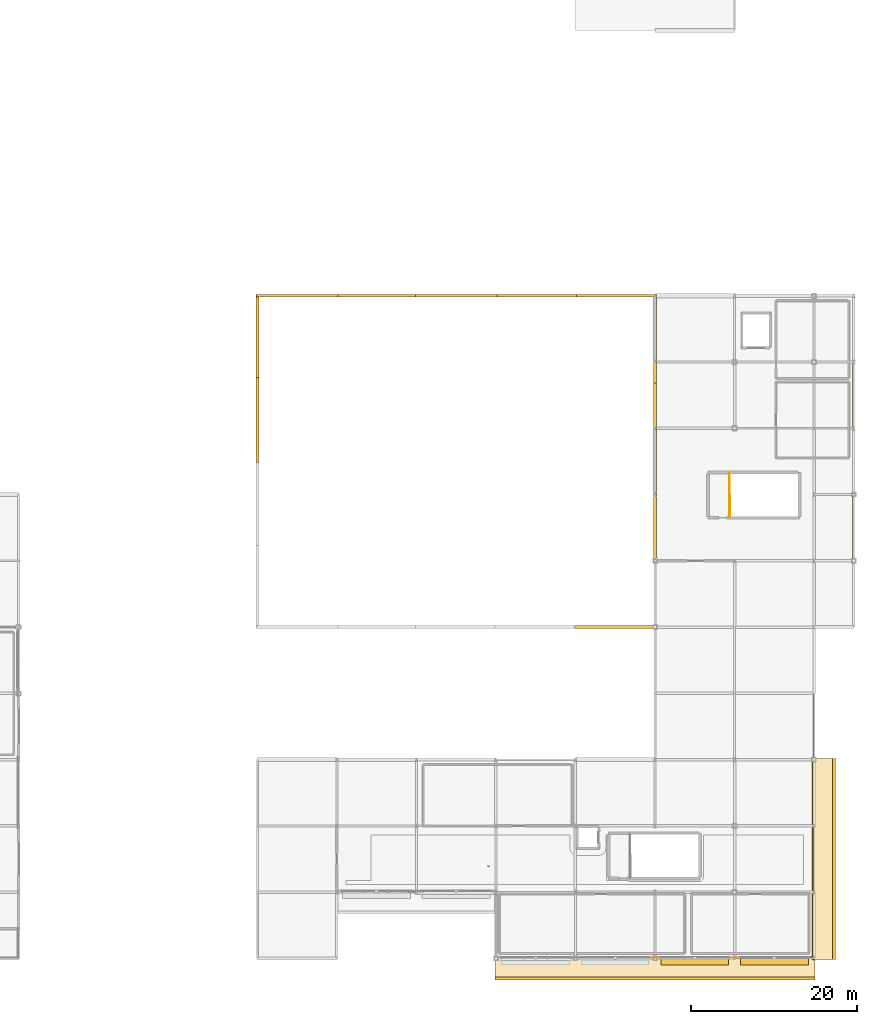
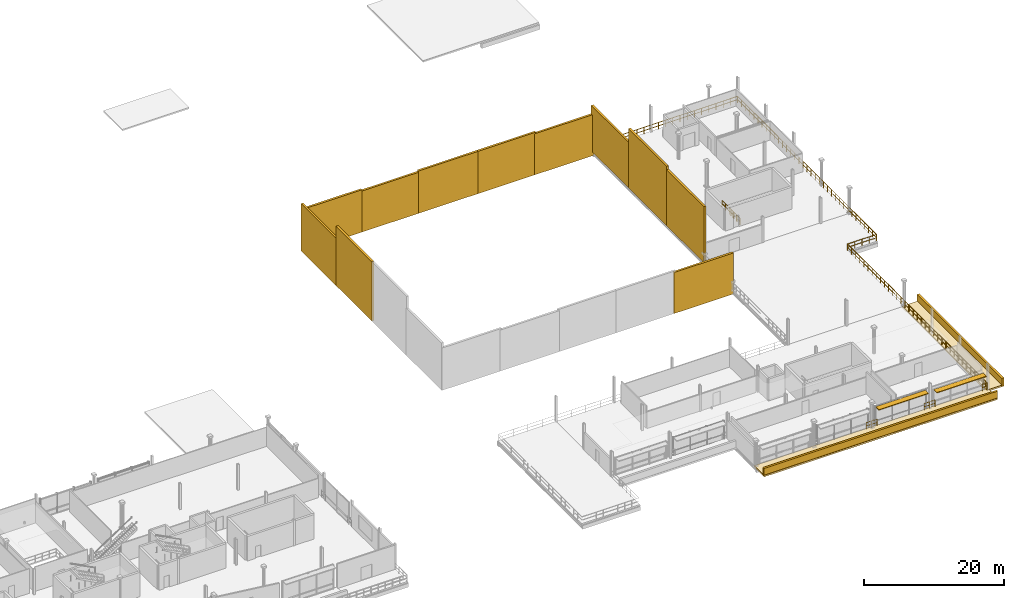
# One storey, part 58 of 59: 15 coverings, 5 railings, 2 shading devices.
"""IFC4 building model written with IfcOpenShell, lengths in metres."""

from ifc_helpers import new_model, si_unit, direction, frame, origin, origin_2d, place, context, subcontext, project, spatial, rectangle, circle, extrude, material, layer, layer_set, type_object, element, save


model = new_model("IFC4")

# Units and contexts
model_context = context("Model", 3, precision=1e-05, world=origin(), true_north=direction((0.0, 1.0)))
body_context = subcontext(model_context, "Body", "Model", "MODEL_VIEW")
ifc_project = project(units=[si_unit("LENGTHUNIT", "METRE"), si_unit("AREAUNIT", "SQUARE_METRE"), si_unit("VOLUMEUNIT", "CUBIC_METRE"), si_unit("PLANEANGLEUNIT", "RADIAN"), si_unit("MASSUNIT", "GRAM", prefix="KILO")], contexts=[model_context])

# Site, building, storey
site_placement = place(None, origin())
site = spatial("IfcSite", under=ifc_project, at=site_placement, CompositionType="ELEMENT")
building_placement = place(site_placement, origin())
building = spatial("IfcBuilding", under=site, at=building_placement, Name="Danafjord Basin Convention Centre", CompositionType="ELEMENT")
storey_placement = place(building_placement, frame((0.0, 0.0, 15.89990234375)))
storey = spatial("IfcBuildingStorey", under=building, at=storey_placement, Name="L03", CompositionType="ELEMENT", Elevation=15.89990234375)

# Coverings
ifc_material_1 = material(Name="Architectural white precast concrete C45/55", Category="concrete")
ifc_layer = layer(ifc_material_1, 0.320068359375)
ifc_layer_set = layer_set([ifc_layer], Name="Architectural white precast concrete C45/55")
covering_type = type_object("IfcCoveringType", Name="COV-BAND-HORIZ", PredefinedType="CLADDING", material=ifc_layer_set)
covering_1_placement = place(storey_placement, frame((187.199951171875, 40.0, -0.7998046875), z_axis=(0.0, 0.0, 1.0), x_axis=(1.0, 0.0, 0.0)))
element("IfcCovering", 1, at=covering_1_placement, inside=storey, type_object=covering_type, Name="Ballroom upper wave-eave acoustic enclosure panel 1-5", PredefinedType="CLADDING", context=body_context, shape_type="SweptSolid", body=[
    extrude(rectangle(XDim=9.85009765625, YDim=0.340087890625, at=origin_2d()), origin(), (0.0, 0.0, 1.0), 7.179931640625),
])
covering_2_placement = place(storey_placement, frame((144.0, 65.0, -0.800048828125), z_axis=(0.0, 0.0, 1.0), x_axis=(0.0, 1.0, 0.0)))
element("IfcCovering", 2, at=covering_2_placement, inside=storey, type_object=covering_type, Name="Ballroom upper wave-eave acoustic enclosure panel 2-3", PredefinedType="CLADDING", context=body_context, shape_type="SweptSolid", body=[
    extrude(rectangle(XDim=10.25, YDim=0.340087890625, at=origin_2d()), origin(), (0.0, 0.0, 1.0), 10.3720703125),
])
covering_3_placement = place(storey_placement, frame((144.0, 75.0, -0.7998046875), z_axis=(0.0, 0.0, 1.0), x_axis=(0.0, 1.0, 0.0)))
element("IfcCovering", 3, at=covering_3_placement, inside=storey, type_object=covering_type, Name="Ballroom upper wave-eave acoustic enclosure panel 2-4", PredefinedType="CLADDING", context=body_context, shape_type="SweptSolid", body=[
    extrude(rectangle(XDim=10.25, YDim=0.340087890625, at=origin_2d()), origin(), (0.0, 0.0, 1.0), 8.27197265625),
])
covering_4_placement = place(storey_placement, frame((148.800048828125, 80.0, -0.7998046875), z_axis=(0.0, 0.0, 1.0), x_axis=(1.0, 0.0, 0.0)))
element("IfcCovering", 4, at=covering_4_placement, inside=storey, type_object=covering_type, Name="Ballroom upper wave-eave acoustic enclosure panel 3-1", PredefinedType="CLADDING", context=body_context, shape_type="SweptSolid", body=[
    extrude(rectangle(XDim=9.85009765625, YDim=0.340087890625, at=origin_2d()), origin(), (0.0, 0.0, 1.0), 7.405029296875),
])
covering_5_placement = place(storey_placement, frame((158.39990234375, 80.0, -0.7998046875), z_axis=(0.0, 0.0, 1.0), x_axis=(1.0, 0.0, 0.0)))
element("IfcCovering", 5, at=covering_5_placement, inside=storey, type_object=covering_type, Name="Ballroom upper wave-eave acoustic enclosure panel 3-2", PredefinedType="CLADDING", context=body_context, shape_type="SweptSolid", body=[
    extrude(rectangle(XDim=9.85009765625, YDim=0.340087890625, at=origin_2d()), origin(), (0.0, 0.0, 1.0), 7.179931640625),
])
for number, where, z_axis, x_axis, name in (
    (6, (168.0, 80.0, -0.7998046875), (0.0, 0.0, 1.0), (1.0, 0.0, 0.0), "Ballroom upper wave-eave acoustic enclosure panel 3-3"),
    (7, (177.60009765625, 80.0, -0.7998046875), (0.0, 0.0, 1.0), (1.0, 0.0, 0.0), "Ballroom upper wave-eave acoustic enclosure panel 3-4"),
):
    element("IfcCovering", number, at=place(storey_placement, frame(where, z_axis=z_axis, x_axis=x_axis)), inside=storey, type_object=covering_type, Name=name, PredefinedType="CLADDING", context=body_context, shape_type="SweptSolid", body=[
        extrude(rectangle(XDim=9.85009765625, YDim=0.340087890625, at=origin_2d()), origin(), (0.0, 0.0, 1.0), 7.405029296875),
    ])
covering_6_placement = place(storey_placement, frame((187.199951171875, 80.0, -0.7998046875), z_axis=(0.0, 0.0, 1.0), x_axis=(1.0, 0.0, 0.0)))
element("IfcCovering", 8, at=covering_6_placement, inside=storey, type_object=covering_type, Name="Ballroom upper wave-eave acoustic enclosure panel 3-5", PredefinedType="CLADDING", context=body_context, shape_type="SweptSolid", body=[
    extrude(rectangle(XDim=9.85009765625, YDim=0.340087890625, at=origin_2d()), origin(), (0.0, 0.0, 1.0), 7.179931640625),
])
covering_7_placement = place(storey_placement, frame((192.0, 53.333251953125, -0.099609375), z_axis=(0.0, 0.0, 1.0), x_axis=(0.0, 1.0, 0.0)))
element("IfcCovering", 9, at=covering_7_placement, inside=storey, type_object=covering_type, Name="Ballroom upper wave-eave acoustic enclosure panel 4-1", PredefinedType="CLADDING", context=body_context, shape_type="SweptSolid", body=[
    extrude(rectangle(XDim=10.9169921875, YDim=0.340087890625, at=origin_2d()), origin(), (0.0, 0.0, 1.0), 9.785888671875),
])
covering_8_placement = place(storey_placement, frame((192.0, 64.0, -0.099609375), z_axis=(0.0, 0.0, 1.0), x_axis=(0.0, 1.0, 0.0)))
element("IfcCovering", 10, at=covering_8_placement, inside=storey, type_object=covering_type, Name="Ballroom upper wave-eave acoustic enclosure panel 4-2", PredefinedType="CLADDING", context=body_context, shape_type="SweptSolid", body=[
    extrude(rectangle(XDim=10.9169921875, YDim=0.340087890625, at=origin_2d()), origin(), (0.0, 0.0, 1.0), 10.368896484375),
])
covering_9_placement = place(storey_placement, frame((192.0, 74.666748046875, -0.099853515625), z_axis=(0.0, 0.0, 1.0), x_axis=(0.0, 1.0, 0.0)))
element("IfcCovering", 11, at=covering_9_placement, inside=storey, type_object=covering_type, Name="Ballroom upper wave-eave acoustic enclosure panel 4-3", PredefinedType="CLADDING", context=body_context, shape_type="SweptSolid", body=[
    extrude(rectangle(XDim=10.9169921875, YDim=0.340087890625, at=origin_2d()), origin(), (0.0, 0.0, 1.0), 7.9599609375),
])
covering_10_placement = place(storey_placement, frame((192.0, -1.175048828125, -0.27978515625), z_axis=(0.0, 0.0, 1.0), x_axis=(1.0, 0.0, 0.0)))
element("IfcCovering", 12, at=covering_10_placement, inside=storey, type_object=covering_type, Name="L03 stepped horizontal band soffit plate 68", PredefinedType="CLADDING", context=body_context, shape_type="SweptSolid", body=[
    extrude(rectangle(XDim=38.639892578125, YDim=2.85009765625, at=origin_2d()), origin(), (0.0, 0.0, 1.0), 0.280029296875),
])
covering_11_placement = place(storey_placement, frame((192.0, -2.409912109375, -0.23974609375), z_axis=(0.0, 0.0, 1.0), x_axis=(1.0, 0.0, 0.0)))
element("IfcCovering", 13, at=covering_11_placement, inside=storey, type_object=covering_type, Name="L03 layered horizontal white spandrel band 68", PredefinedType="CLADDING", context=body_context, shape_type="SweptSolid", body=[
    extrude(rectangle(XDim=38.679931640625, YDim=0.320068359375, at=origin_2d()), origin(), (0.0, 0.0, 1.0), 1.419921875),
])
covering_12_placement = place(storey_placement, frame((212.375, 12.0, -0.27978515625), z_axis=(0.0, 0.0, 1.0), x_axis=(0.0, 1.0, 0.0)))
element("IfcCovering", 14, at=covering_12_placement, inside=storey, type_object=covering_type, Name="L03 stepped horizontal band soffit plate 69", PredefinedType="CLADDING", context=body_context, shape_type="SweptSolid", body=[
    extrude(rectangle(XDim=24.239990234375, YDim=2.85009765625, at=origin_2d()), origin(), (0.0, 0.0, 1.0), 0.280029296875),
])
covering_13_placement = place(storey_placement, frame((213.610107421875, 12.0, -0.23974609375), z_axis=(0.0, 0.0, 1.0), x_axis=(0.0, 1.0, 0.0)))
element("IfcCovering", 15, at=covering_13_placement, inside=storey, type_object=covering_type, Name="L03 layered horizontal white spandrel band 69", PredefinedType="CLADDING", context=body_context, shape_type="SweptSolid", body=[
    extrude(rectangle(XDim=24.280029296875, YDim=0.320068359375, at=origin_2d()), origin(), (0.0, 0.0, 1.0), 1.419921875),
])

# Railings
ifc_material_2 = material(Name="Laminated structural glass and stainless steel", Category="steel")
railing_type_1 = type_object("IfcRailingType", Name="RL-BAL-GLS", PredefinedType="BALUSTRADE", material=ifc_material_2)
railing_1_placement = place(storey_placement, frame((192.1298828125, 79.919921875, 0.0)))
element("IfcRailing", 16, at=railing_1_placement, inside=storey, type_object=railing_type_1, Name="L03 safety guard balustrade 217", PredefinedType="BALUSTRADE", context=body_context, shape_type="SweptSolid", body=[
    extrude(circle(Radius=0.02392578125, at=origin_2d()), frame((0.0, 0.0, 1.1259765625), z_axis=(1.0, 0.0, 0.0), x_axis=(0.0, 1.0, 0.0)), (0.0, 0.0, 1.0), 23.7900390625),
    extrude(circle(Radius=0.02392578125, at=origin_2d()), frame((0.0, 0.0, 0.55078125), z_axis=(1.0, 0.0, 0.0), x_axis=(0.0, 1.0, 0.0)), (0.0, 0.0, 1.0), 23.7900390625),
    extrude(circle(Radius=0.02392578125, at=origin_2d()), frame((23.7900390625, 0.0, 1.1259765625), z_axis=(0.0, -1.0, 0.0), x_axis=(1.0, 0.0, 0.0)), (0.0, 0.0, 1.0), 39.83984375),
    extrude(circle(Radius=0.02392578125, at=origin_2d()), frame((23.7900390625, 0.0, 0.55078125), z_axis=(0.0, -1.0, 0.0), x_axis=(1.0, 0.0, 0.0)), (0.0, 0.0, 1.0), 39.83984375),
    extrude(circle(Radius=0.02392578125, at=origin_2d()), frame((23.7900390625, -39.83984375, 1.1259765625), z_axis=(-1.0, 0.0, 0.0), x_axis=(0.0, -1.0, 0.0)), (0.0, 0.0, 1.0), 4.7998046875),
    extrude(circle(Radius=0.02392578125, at=origin_2d()), frame((23.7900390625, -39.83984375, 0.55078125), z_axis=(-1.0, 0.0, 0.0), x_axis=(0.0, -1.0, 0.0)), (0.0, 0.0, 1.0), 4.7998046875),
    extrude(circle(Radius=0.02392578125, at=origin_2d()), frame((18.990234375, -39.83984375, 1.1259765625), z_axis=(0.0, -1.0, 0.0), x_axis=(1.0, 0.0, 0.0)), (0.0, 0.0, 1.0), 40.0),
    extrude(circle(Radius=0.02392578125, at=origin_2d()), frame((18.990234375, -39.83984375, 0.55078125), z_axis=(0.0, -1.0, 0.0), x_axis=(1.0, 0.0, 0.0)), (0.0, 0.0, 1.0), 40.0),
    extrude(circle(Radius=0.02392578125, at=origin_2d()), frame((18.990234375, -79.83984375, 1.1259765625), z_axis=(-1.0, 0.0, 0.0), x_axis=(0.0, -1.0, 0.0)), (0.0, 0.0, 1.0), 0.800048828125),
    extrude(circle(Radius=0.02392578125, at=origin_2d()), frame((18.990234375, -79.83984375, 0.55078125), z_axis=(-1.0, 0.0, 0.0), x_axis=(0.0, -1.0, 0.0)), (0.0, 0.0, 1.0), 0.800048828125),
    extrude(circle(Radius=0.02099609375, at=origin_2d()), origin(), (0.0, 0.0, 1.0), 1.099853515625),
    extrude(circle(Radius=0.02099609375, at=origin_2d()), frame((1.189453125, 0.0, 0.0)), (0.0, 0.0, 1.0), 1.099853515625),
    extrude(circle(Radius=0.02099609375, at=origin_2d()), frame((2.37890625, 0.0, 0.0)), (0.0, 0.0, 1.0), 1.099853515625),
    extrude(circle(Radius=0.02099609375, at=origin_2d()), frame((3.568603515625, 0.0, 0.0)), (0.0, 0.0, 1.0), 1.099853515625),
    extrude(circle(Radius=0.02099609375, at=origin_2d()), frame((4.758056640625, 0.0, 0.0)), (0.0, 0.0, 1.0), 1.099853515625),
    extrude(circle(Radius=0.02099609375, at=origin_2d()), frame((5.947509765625, 0.0, 0.0)), (0.0, 0.0, 1.0), 1.099853515625),
    extrude(circle(Radius=0.02099609375, at=origin_2d()), frame((7.136962890625, 0.0, 0.0)), (0.0, 0.0, 1.0), 1.099853515625),
    extrude(circle(Radius=0.02099609375, at=origin_2d()), frame((8.326416015625, 0.0, 0.0)), (0.0, 0.0, 1.0), 1.099853515625),
    extrude(circle(Radius=0.02099609375, at=origin_2d()), frame((9.51611328125, 0.0, 0.0)), (0.0, 0.0, 1.0), 1.099853515625),
    extrude(circle(Radius=0.02099609375, at=origin_2d()), frame((10.70556640625, 0.0, 0.0)), (0.0, 0.0, 1.0), 1.099853515625),
    extrude(circle(Radius=0.02099609375, at=origin_2d()), frame((11.89501953125, 0.0, 0.0)), (0.0, 0.0, 1.0), 1.099853515625),
    extrude(circle(Radius=0.02099609375, at=origin_2d()), frame((13.08447265625, 0.0, 0.0)), (0.0, 0.0, 1.0), 1.099853515625),
    extrude(circle(Radius=0.02099609375, at=origin_2d()), frame((14.27392578125, 0.0, 0.0)), (0.0, 0.0, 1.0), 1.099853515625),
    extrude(circle(Radius=0.02099609375, at=origin_2d()), frame((15.463623046875, 0.0, 0.0)), (0.0, 0.0, 1.0), 1.099853515625),
    extrude(circle(Radius=0.02099609375, at=origin_2d()), frame((16.653076171875, 0.0, 0.0)), (0.0, 0.0, 1.0), 1.099853515625),
    extrude(circle(Radius=0.02099609375, at=origin_2d()), frame((17.842529296875, 0.0, 0.0)), (0.0, 0.0, 1.0), 1.099853515625),
    extrude(circle(Radius=0.02099609375, at=origin_2d()), frame((19.031982421875, 0.0, 0.0)), (0.0, 0.0, 1.0), 1.099853515625),
    extrude(circle(Radius=0.02099609375, at=origin_2d()), frame((20.221435546875, 0.0, 0.0)), (0.0, 0.0, 1.0), 1.099853515625),
    extrude(circle(Radius=0.02099609375, at=origin_2d()), frame((21.4111328125, 0.0, 0.0)), (0.0, 0.0, 1.0), 1.099853515625),
    extrude(circle(Radius=0.02099609375, at=origin_2d()), frame((22.6005859375, 0.0, 0.0)), (0.0, 0.0, 1.0), 1.099853515625),
    extrude(circle(Radius=0.02099609375, at=origin_2d()), frame((23.7900390625, 0.0, 0.0)), (0.0, 0.0, 1.0), 1.099853515625),
    extrude(circle(Radius=0.02099609375, at=origin_2d()), frame((23.7900390625, -1.171875, 0.0)), (0.0, 0.0, 1.0), 1.099853515625),
    extrude(circle(Radius=0.02099609375, at=origin_2d()), frame((23.7900390625, -2.343505859375, 0.0)), (0.0, 0.0, 1.0), 1.099853515625),
    extrude(circle(Radius=0.02099609375, at=origin_2d()), frame((23.7900390625, -3.515380859375, 0.0)), (0.0, 0.0, 1.0), 1.099853515625),
    extrude(circle(Radius=0.02099609375, at=origin_2d()), frame((23.7900390625, -4.68701171875, 0.0)), (0.0, 0.0, 1.0), 1.099853515625),
    extrude(circle(Radius=0.02099609375, at=origin_2d()), frame((23.7900390625, -5.85888671875, 0.0)), (0.0, 0.0, 1.0), 1.099853515625),
    extrude(circle(Radius=0.02099609375, at=origin_2d()), frame((23.7900390625, -7.030517578125, 0.0)), (0.0, 0.0, 1.0), 1.099853515625),
    extrude(circle(Radius=0.02099609375, at=origin_2d()), frame((23.7900390625, -8.202392578125, 0.0)), (0.0, 0.0, 1.0), 1.099853515625),
    extrude(circle(Radius=0.02099609375, at=origin_2d()), frame((23.7900390625, -9.3740234375, 0.0)), (0.0, 0.0, 1.0), 1.099853515625),
    extrude(circle(Radius=0.02099609375, at=origin_2d()), frame((23.7900390625, -10.5458984375, 0.0)), (0.0, 0.0, 1.0), 1.099853515625),
    extrude(circle(Radius=0.02099609375, at=origin_2d()), frame((23.7900390625, -11.717529296875, 0.0)), (0.0, 0.0, 1.0), 1.099853515625),
    extrude(circle(Radius=0.02099609375, at=origin_2d()), frame((23.7900390625, -12.889404296875, 0.0)), (0.0, 0.0, 1.0), 1.099853515625),
    extrude(circle(Radius=0.02099609375, at=origin_2d()), frame((23.7900390625, -14.06103515625, 0.0)), (0.0, 0.0, 1.0), 1.099853515625),
    extrude(circle(Radius=0.02099609375, at=origin_2d()), frame((23.7900390625, -15.23291015625, 0.0)), (0.0, 0.0, 1.0), 1.099853515625),
    extrude(circle(Radius=0.02099609375, at=origin_2d()), frame((23.7900390625, -16.404541015625, 0.0)), (0.0, 0.0, 1.0), 1.099853515625),
    extrude(circle(Radius=0.02099609375, at=origin_2d()), frame((23.7900390625, -17.576416015625, 0.0)), (0.0, 0.0, 1.0), 1.099853515625),
    extrude(circle(Radius=0.02099609375, at=origin_2d()), frame((23.7900390625, -18.748046875, 0.0)), (0.0, 0.0, 1.0), 1.099853515625),
    extrude(circle(Radius=0.02099609375, at=origin_2d()), frame((23.7900390625, -19.919921875, 0.0)), (0.0, 0.0, 1.0), 1.099853515625),
    extrude(circle(Radius=0.02099609375, at=origin_2d()), frame((23.7900390625, -21.091796875, 0.0)), (0.0, 0.0, 1.0), 1.099853515625),
    extrude(circle(Radius=0.02099609375, at=origin_2d()), frame((23.7900390625, -22.263427734375, 0.0)), (0.0, 0.0, 1.0), 1.099853515625),
    extrude(circle(Radius=0.02099609375, at=origin_2d()), frame((23.7900390625, -23.435302734375, 0.0)), (0.0, 0.0, 1.0), 1.099853515625),
    extrude(circle(Radius=0.02099609375, at=origin_2d()), frame((23.7900390625, -24.60693359375, 0.0)), (0.0, 0.0, 1.0), 1.099853515625),
    extrude(circle(Radius=0.02099609375, at=origin_2d()), frame((23.7900390625, -25.77880859375, 0.0)), (0.0, 0.0, 1.0), 1.099853515625),
    extrude(circle(Radius=0.02099609375, at=origin_2d()), frame((23.7900390625, -26.950439453125, 0.0)), (0.0, 0.0, 1.0), 1.099853515625),
    extrude(circle(Radius=0.02099609375, at=origin_2d()), frame((23.7900390625, -28.122314453125, 0.0)), (0.0, 0.0, 1.0), 1.099853515625),
    extrude(circle(Radius=0.02099609375, at=origin_2d()), frame((23.7900390625, -29.2939453125, 0.0)), (0.0, 0.0, 1.0), 1.099853515625),
    extrude(circle(Radius=0.02099609375, at=origin_2d()), frame((23.7900390625, -30.4658203125, 0.0)), (0.0, 0.0, 1.0), 1.099853515625),
    extrude(circle(Radius=0.02099609375, at=origin_2d()), frame((23.7900390625, -31.637451171875, 0.0)), (0.0, 0.0, 1.0), 1.099853515625),
    extrude(circle(Radius=0.02099609375, at=origin_2d()), frame((23.7900390625, -32.809326171875, 0.0)), (0.0, 0.0, 1.0), 1.099853515625),
    extrude(circle(Radius=0.02099609375, at=origin_2d()), frame((23.7900390625, -33.98095703125, 0.0)), (0.0, 0.0, 1.0), 1.099853515625),
    extrude(circle(Radius=0.02099609375, at=origin_2d()), frame((23.7900390625, -35.15283203125, 0.0)), (0.0, 0.0, 1.0), 1.099853515625),
    extrude(circle(Radius=0.02099609375, at=origin_2d()), frame((23.7900390625, -36.324462890625, 0.0)), (0.0, 0.0, 1.0), 1.099853515625),
    extrude(circle(Radius=0.02099609375, at=origin_2d()), frame((23.7900390625, -37.496337890625, 0.0)), (0.0, 0.0, 1.0), 1.099853515625),
    extrude(circle(Radius=0.02099609375, at=origin_2d()), frame((23.7900390625, -38.66796875, 0.0)), (0.0, 0.0, 1.0), 1.099853515625),
    extrude(circle(Radius=0.02099609375, at=origin_2d()), frame((23.7900390625, -39.83984375, 0.0)), (0.0, 0.0, 1.0), 1.099853515625),
    extrude(circle(Radius=0.02099609375, at=origin_2d()), frame((22.590087890625, -39.83984375, 0.0)), (0.0, 0.0, 1.0), 1.099853515625),
    extrude(circle(Radius=0.02099609375, at=origin_2d()), frame((21.39013671875, -39.83984375, 0.0)), (0.0, 0.0, 1.0), 1.099853515625),
    extrude(circle(Radius=0.02099609375, at=origin_2d()), frame((20.190185546875, -39.83984375, 0.0)), (0.0, 0.0, 1.0), 1.099853515625),
    extrude(circle(Radius=0.02099609375, at=origin_2d()), frame((18.990234375, -39.83984375, 0.0)), (0.0, 0.0, 1.0), 1.099853515625),
    extrude(circle(Radius=0.02099609375, at=origin_2d()), frame((18.990234375, -41.016357421875, 0.0)), (0.0, 0.0, 1.0), 1.099853515625),
    extrude(circle(Radius=0.02099609375, at=origin_2d()), frame((18.990234375, -42.19287109375, 0.0)), (0.0, 0.0, 1.0), 1.099853515625),
    extrude(circle(Radius=0.02099609375, at=origin_2d()), frame((18.990234375, -43.369140625, 0.0)), (0.0, 0.0, 1.0), 1.099853515625),
    extrude(circle(Radius=0.02099609375, at=origin_2d()), frame((18.990234375, -44.545654296875, 0.0)), (0.0, 0.0, 1.0), 1.099853515625),
    extrude(circle(Radius=0.02099609375, at=origin_2d()), frame((18.990234375, -45.72216796875, 0.0)), (0.0, 0.0, 1.0), 1.099853515625),
    extrude(circle(Radius=0.02099609375, at=origin_2d()), frame((18.990234375, -46.898681640625, 0.0)), (0.0, 0.0, 1.0), 1.099853515625),
    extrude(circle(Radius=0.02099609375, at=origin_2d()), frame((18.990234375, -48.0751953125, 0.0)), (0.0, 0.0, 1.0), 1.099853515625),
    extrude(circle(Radius=0.02099609375, at=origin_2d()), frame((18.990234375, -49.251708984375, 0.0)), (0.0, 0.0, 1.0), 1.099853515625),
    extrude(circle(Radius=0.02099609375, at=origin_2d()), frame((18.990234375, -50.427978515625, 0.0)), (0.0, 0.0, 1.0), 1.099853515625),
    extrude(circle(Radius=0.02099609375, at=origin_2d()), frame((18.990234375, -51.6044921875, 0.0)), (0.0, 0.0, 1.0), 1.099853515625),
    extrude(circle(Radius=0.02099609375, at=origin_2d()), frame((18.990234375, -52.781005859375, 0.0)), (0.0, 0.0, 1.0), 1.099853515625),
    extrude(circle(Radius=0.02099609375, at=origin_2d()), frame((18.990234375, -53.95751953125, 0.0)), (0.0, 0.0, 1.0), 1.099853515625),
    extrude(circle(Radius=0.02099609375, at=origin_2d()), frame((18.990234375, -55.134033203125, 0.0)), (0.0, 0.0, 1.0), 1.099853515625),
    extrude(circle(Radius=0.02099609375, at=origin_2d()), frame((18.990234375, -56.310546875, 0.0)), (0.0, 0.0, 1.0), 1.099853515625),
    extrude(circle(Radius=0.02099609375, at=origin_2d()), frame((18.990234375, -57.48681640625, 0.0)), (0.0, 0.0, 1.0), 1.099853515625),
    extrude(circle(Radius=0.02099609375, at=origin_2d()), frame((18.990234375, -58.663330078125, 0.0)), (0.0, 0.0, 1.0), 1.099853515625),
    extrude(circle(Radius=0.02099609375, at=origin_2d()), frame((18.990234375, -59.83984375, 0.0)), (0.0, 0.0, 1.0), 1.099853515625),
    extrude(circle(Radius=0.02099609375, at=origin_2d()), frame((18.990234375, -61.016357421875, 0.0)), (0.0, 0.0, 1.0), 1.099853515625),
    extrude(circle(Radius=0.02099609375, at=origin_2d()), frame((18.990234375, -62.19287109375, 0.0)), (0.0, 0.0, 1.0), 1.099853515625),
    extrude(circle(Radius=0.02099609375, at=origin_2d()), frame((18.990234375, -63.369140625, 0.0)), (0.0, 0.0, 1.0), 1.099853515625),
    extrude(circle(Radius=0.02099609375, at=origin_2d()), frame((18.990234375, -64.545654296875, 0.0)), (0.0, 0.0, 1.0), 1.099853515625),
    extrude(circle(Radius=0.02099609375, at=origin_2d()), frame((18.990234375, -65.72216796875, 0.0)), (0.0, 0.0, 1.0), 1.099853515625),
    extrude(circle(Radius=0.02099609375, at=origin_2d()), frame((18.990234375, -66.898681640625, 0.0)), (0.0, 0.0, 1.0), 1.099853515625),
    extrude(circle(Radius=0.02099609375, at=origin_2d()), frame((18.990234375, -68.0751953125, 0.0)), (0.0, 0.0, 1.0), 1.099853515625),
    extrude(circle(Radius=0.02099609375, at=origin_2d()), frame((18.990234375, -69.251708984375, 0.0)), (0.0, 0.0, 1.0), 1.099853515625),
    extrude(circle(Radius=0.02099609375, at=origin_2d()), frame((18.990234375, -70.427978515625, 0.0)), (0.0, 0.0, 1.0), 1.099853515625),
    extrude(circle(Radius=0.02099609375, at=origin_2d()), frame((18.990234375, -71.6044921875, 0.0)), (0.0, 0.0, 1.0), 1.099853515625),
    extrude(circle(Radius=0.02099609375, at=origin_2d()), frame((18.990234375, -72.781005859375, 0.0)), (0.0, 0.0, 1.0), 1.099853515625),
    extrude(circle(Radius=0.02099609375, at=origin_2d()), frame((18.990234375, -73.95751953125, 0.0)), (0.0, 0.0, 1.0), 1.099853515625),
    extrude(circle(Radius=0.02099609375, at=origin_2d()), frame((18.990234375, -75.134033203125, 0.0)), (0.0, 0.0, 1.0), 1.099853515625),
    extrude(circle(Radius=0.02099609375, at=origin_2d()), frame((18.990234375, -76.310546875, 0.0)), (0.0, 0.0, 1.0), 1.099853515625),
    extrude(circle(Radius=0.02099609375, at=origin_2d()), frame((18.990234375, -77.48681640625, 0.0)), (0.0, 0.0, 1.0), 1.099853515625),
    extrude(circle(Radius=0.02099609375, at=origin_2d()), frame((18.990234375, -78.663330078125, 0.0)), (0.0, 0.0, 1.0), 1.099853515625),
    extrude(circle(Radius=0.02099609375, at=origin_2d()), frame((18.990234375, -79.83984375, 0.0)), (0.0, 0.0, 1.0), 1.099853515625),
    extrude(circle(Radius=0.02099609375, at=origin_2d()), frame((18.190185546875, -79.83984375, 0.0)), (0.0, 0.0, 1.0), 1.099853515625),
])
railing_2_placement = place(storey_placement, frame((202.47998046875, 0.080078125, 0.0)))
element("IfcRailing", 17, at=railing_2_placement, inside=storey, type_object=railing_type_1, Name="L03 safety guard balustrade 218", PredefinedType="BALUSTRADE", context=body_context, shape_type="SweptSolid", body=[
    extrude(circle(Radius=0.02392578125, at=origin_2d()), frame((0.0, 0.0, 1.1259765625), z_axis=(-1.0, 0.0, 0.0), x_axis=(0.0, -1.0, 0.0)), (0.0, 0.0, 1.0), 1.760009765625),
    extrude(circle(Radius=0.02392578125, at=origin_2d()), frame((0.0, 0.0, 0.55078125), z_axis=(-1.0, 0.0, 0.0), x_axis=(0.0, -1.0, 0.0)), (0.0, 0.0, 1.0), 1.760009765625),
    extrude(circle(Radius=0.02099609375, at=origin_2d()), origin(), (0.0, 0.0, 1.0), 1.099853515625),
    extrude(circle(Radius=0.02099609375, at=origin_2d()), frame((-0.8798828125, 0.0, 0.0)), (0.0, 0.0, 1.0), 1.099853515625),
    extrude(circle(Radius=0.02099609375, at=origin_2d()), frame((-1.760009765625, 0.0, 0.0)), (0.0, 0.0, 1.0), 1.099853515625),
])
railing_3_placement = place(storey_placement, frame((192.8798828125, 0.080078125, 0.0)))
element("IfcRailing", 18, at=railing_3_placement, inside=storey, type_object=railing_type_1, Name="L03 safety guard balustrade 219", PredefinedType="BALUSTRADE", context=body_context, shape_type="SweptSolid", body=[
    extrude(circle(Radius=0.02392578125, at=origin_2d()), frame((0.0, 0.0, 1.1259765625), z_axis=(-1.0, 0.0, 0.0), x_axis=(0.0, -1.0, 0.0)), (0.0, 0.0, 1.0), 1.759765625),
    extrude(circle(Radius=0.02392578125, at=origin_2d()), frame((0.0, 0.0, 0.55078125), z_axis=(-1.0, 0.0, 0.0), x_axis=(0.0, -1.0, 0.0)), (0.0, 0.0, 1.0), 1.759765625),
    extrude(circle(Radius=0.02099609375, at=origin_2d()), origin(), (0.0, 0.0, 1.0), 1.099853515625),
    extrude(circle(Radius=0.02099609375, at=origin_2d()), frame((-0.8798828125, 0.0, 0.0)), (0.0, 0.0, 1.0), 1.099853515625),
    extrude(circle(Radius=0.02099609375, at=origin_2d()), frame((-1.759765625, 0.0, 0.0)), (0.0, 0.0, 1.0), 1.099853515625),
])
railing_4_placement = place(storey_placement, frame((201.0, 58.52490234375, 0.0)))
element("IfcRailing", 19, at=railing_4_placement, inside=storey, type_object=railing_type_1, Name="L03 safety guard balustrade 224", PredefinedType="BALUSTRADE", context=body_context, shape_type="SweptSolid", body=[
    extrude(circle(Radius=0.02392578125, at=origin_2d()), frame((0.0, 0.0, 1.1259765625), z_axis=(0.0, -1.0, 0.0), x_axis=(1.0, 0.0, 0.0)), (0.0, 0.0, 1.0), 5.18994140625),
    extrude(circle(Radius=0.02392578125, at=origin_2d()), frame((0.0, 0.0, 0.55078125), z_axis=(0.0, -1.0, 0.0), x_axis=(1.0, 0.0, 0.0)), (0.0, 0.0, 1.0), 5.18994140625),
    extrude(circle(Radius=0.02099609375, at=origin_2d()), origin(), (0.0, 0.0, 1.0), 1.099853515625),
    extrude(circle(Radius=0.02099609375, at=origin_2d()), frame((0.0, -1.0380859375, 0.0)), (0.0, 0.0, 1.0), 1.099853515625),
    extrude(circle(Radius=0.02099609375, at=origin_2d()), frame((0.0, -2.075927734375, 0.0)), (0.0, 0.0, 1.0), 1.099853515625),
    extrude(circle(Radius=0.02099609375, at=origin_2d()), frame((0.0, -3.114013671875, 0.0)), (0.0, 0.0, 1.0), 1.099853515625),
    extrude(circle(Radius=0.02099609375, at=origin_2d()), frame((0.0, -4.15185546875, 0.0)), (0.0, 0.0, 1.0), 1.099853515625),
    extrude(circle(Radius=0.02099609375, at=origin_2d()), frame((0.0, -5.18994140625, 0.0)), (0.0, 0.0, 1.0), 1.099853515625),
])
ifc_material_3 = material(Name="Galvanised steel S355", Category="steel")
railing_type_2 = type_object("IfcRailingType", Name="RL-GD-WELL", PredefinedType="BALUSTRADE", material=ifc_material_3)
railing_5_placement = place(storey_placement, frame((201.030029296875, 53.360107421875, 0.0)))
element("IfcRailing", 20, at=railing_5_placement, inside=storey, type_object=railing_type_2, Name="L03 ST-13 top well guard 1", PredefinedType="BALUSTRADE", context=body_context, shape_type="SweptSolid", body=[
    extrude(circle(Radius=0.02392578125, at=origin_2d()), frame((0.0, 0.0, 1.076171875), z_axis=(0.0, 1.0, 0.0), x_axis=(-1.0, 0.0, 0.0)), (0.0, 0.0, 1.0), 2.639892578125),
    extrude(circle(Radius=0.02392578125, at=origin_2d()), frame((0.0, 0.0, 0.52587890625), z_axis=(0.0, 1.0, 0.0), x_axis=(-1.0, 0.0, 0.0)), (0.0, 0.0, 1.0), 2.639892578125),
    extrude(circle(Radius=0.02099609375, at=origin_2d()), origin(), (0.0, 0.0, 1.0), 1.050048828125),
    extrude(circle(Radius=0.02099609375, at=origin_2d()), frame((0.0, 0.8798828125, 0.0)), (0.0, 0.0, 1.0), 1.050048828125),
    extrude(circle(Radius=0.02099609375, at=origin_2d()), frame((0.0, 1.760009765625, 0.0)), (0.0, 0.0, 1.0), 1.050048828125),
    extrude(circle(Radius=0.02099609375, at=origin_2d()), frame((0.0, 2.639892578125, 0.0)), (0.0, 0.0, 1.0), 1.050048828125),
])

# Shading devices
ifc_material_4 = material(Name="Anodised aluminium aerofoil sunshade", Category="aluminium")
shading_device_type = type_object("IfcShadingDeviceType", Name="SHD-SUN-A", PredefinedType="USERDEFINED", material=ifc_material_4)
for number, where, z_axis, x_axis, name in (
    (21, (196.800048828125, -0.340087890625, 3.2451171875), (0.0, 0.0, 1.0), (1.0, 0.0, 0.0), "L03 cantilevered harbour sunshade 23"),
    (22, (206.39990234375, -0.340087890625, 2.89501953125), (0.0, 0.0, 1.0), (1.0, 0.0, 0.0), "L03 cantilevered harbour sunshade 24"),
):
    element("IfcShadingDevice", number, at=place(storey_placement, frame(where, z_axis=z_axis, x_axis=x_axis)), inside=storey, type_object=shading_device_type, Name=name, ObjectType="SUNSHADE", PredefinedType="USERDEFINED", context=body_context, shape_type="SweptSolid", body=[
        extrude(rectangle(XDim=8.199951171875, YDim=0.89990234375, at=origin_2d()), origin(), (0.0, 0.0, 1.0), 0.1201171875),
    ])

save(model, "model.ifc")
